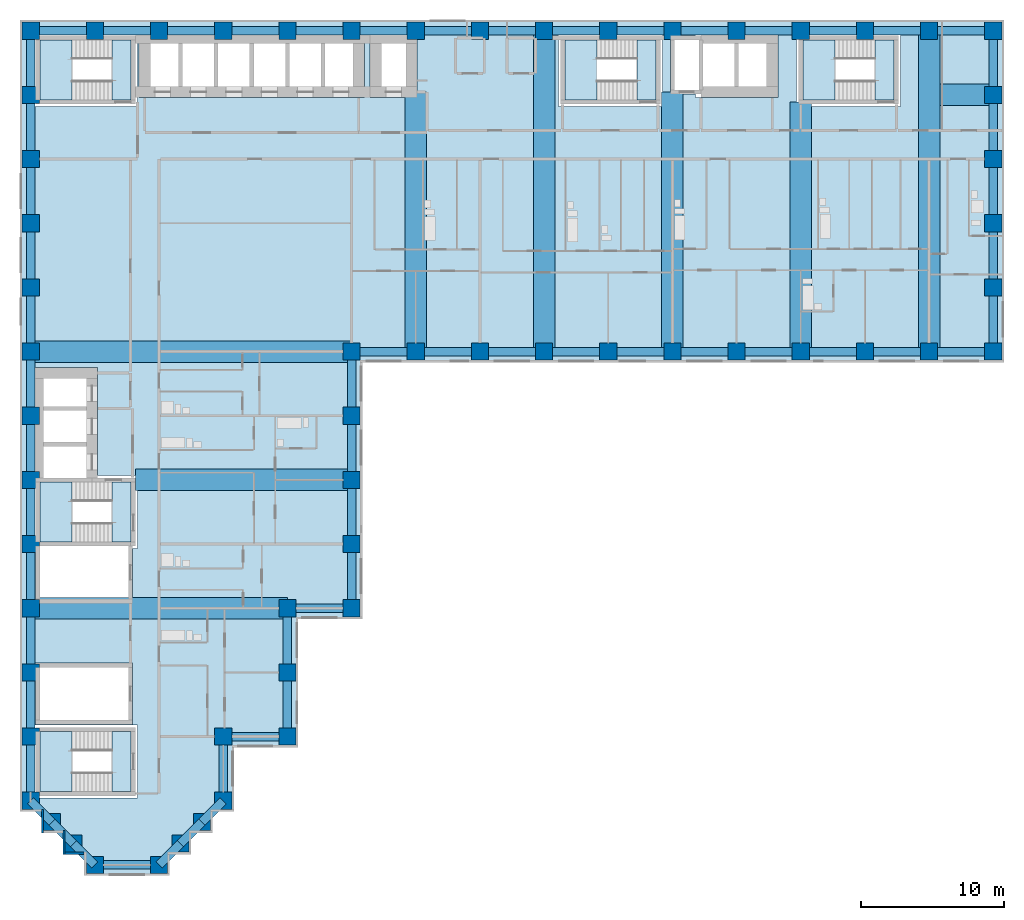
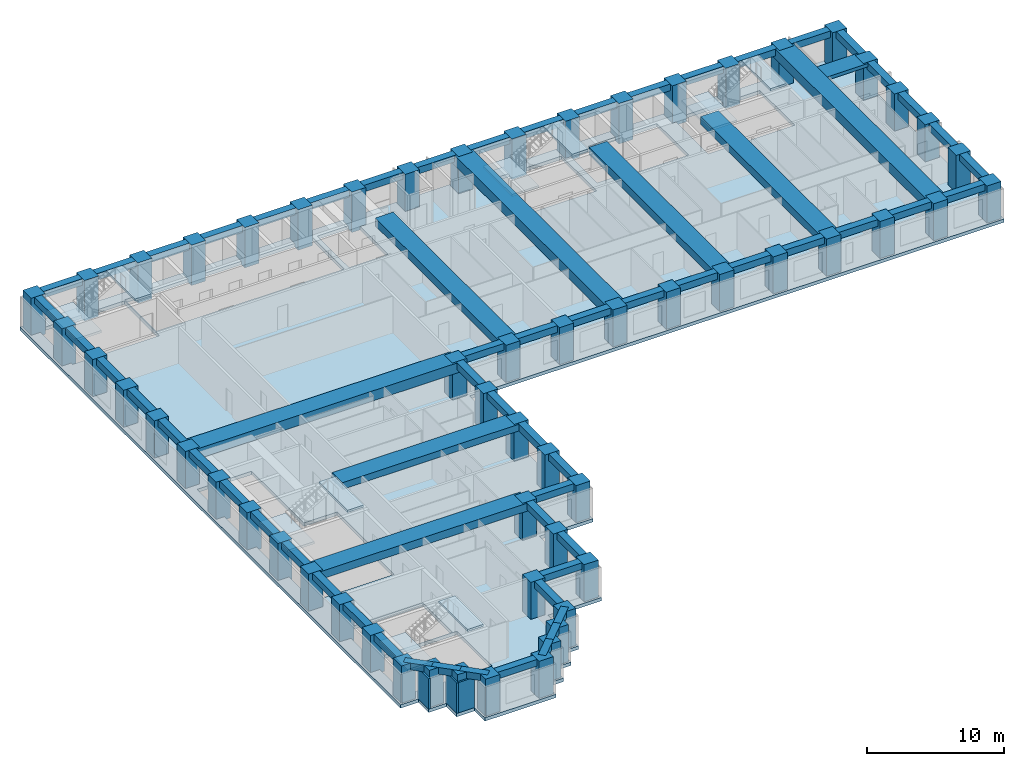
# One storey, part 1 of 11: 67 beams, 58 columns, 11 slabs, 3 walls, 5 elements without a shape of their own.
"""IFC4 building model written with IfcOpenShell, lengths in metres."""

from ifc_helpers import new_model, si_unit, direction, frame, frame_2d, origin, origin_2d, place, context, subcontext, project, spatial, polyline, rectangle, outline, extrude, material, layer, layer_set, material_profile, profile_set, type_object, element, aggregate, save


model = new_model("IFC4")

# Units and contexts
model_context = context("Model", 3, precision=1e-05, world=origin(), true_north=direction((0.0, 1.0)))
body_context = subcontext(model_context, "Body", "Model", "MODEL_VIEW")
ifc_project = project(units=[si_unit("LENGTHUNIT", "METRE"), si_unit("AREAUNIT", "SQUARE_METRE"), si_unit("VOLUMEUNIT", "CUBIC_METRE"), si_unit("PLANEANGLEUNIT", "RADIAN"), si_unit("MASSUNIT", "GRAM", prefix="KILO")], contexts=[model_context])

# Site, building, storey
site_placement = place(None, origin())
site = spatial("IfcSite", under=ifc_project, at=site_placement, CompositionType="ELEMENT")
building_placement = place(site_placement, origin())
building = spatial("IfcBuilding", under=site, at=building_placement, Name="Firuza Court", CompositionType="ELEMENT")
storey_placement = place(building_placement, frame((0.0, 0.0, 83.0)))
storey = spatial("IfcBuildingStorey", under=building, at=storey_placement, Name="L20", CompositionType="ELEMENT", Elevation=83.0)

# Columns
ifc_material_1 = material(Name="Concrete C70/85", Category="concrete")
ifc_material_profile_1 = material_profile(ifc_material_1, rectangle(XDim=1.199951171875, YDim=1.199951171875, at=origin_2d()), Name="RC 1200x1200")
ifc_profile_set_1 = profile_set([ifc_material_profile_1], Name="Concrete C70/85")
column_type = type_object("IfcColumnType", Name="Tube column RC 1200x1200 C70/85", PredefinedType="COLUMN", material=ifc_profile_set_1)
for number, where, z_axis, x_axis, name in (
    (1, (4.5, 0.0, -0.300048828125), (0.0, 0.0, 1.0), (1.0, 0.0, 0.0), "Column C-2D L20"),
    (2, (9.0, 0.0, -0.300048828125), (0.0, 0.0, 1.0), (1.0, 0.0, 0.0), "Column C-3D L20"),
    (3, (3.0, 1.5, -0.300048828125), (0.0, 0.0, 1.0), (1.0, 0.0, 0.0), "Column C-SA1 L20"),
    (4, (10.5, 1.5, -0.300048828125), (0.0, 0.0, 1.0), (1.0, 0.0, 0.0), "Column C-SA2 L20"),
    (5, (1.5, 3.0, -0.300048828125), (0.0, 0.0, 1.0), (1.0, 0.0, 0.0), "Column C-SA3 L20"),
    (6, (12.0, 3.0, -0.300048828125), (0.0, 0.0, 1.0), (1.0, 0.0, 0.0), "Column C-SA4 L20"),
    (7, (0.0, 4.5, -0.300048828125), (0.0, 0.0, 1.0), (1.0, 0.0, 0.0), "Column C-1E L20"),
    (8, (13.5, 4.5, -0.300048828125), (0.0, 0.0, 1.0), (1.0, 0.0, 0.0), "Column C-4E L20"),
    (9, (0.0, 9.0, -0.300048828125), (0.0, 0.0, 1.0), (1.0, 0.0, 0.0), "Column C-1F L20"),
    (10, (13.5, 9.0, -0.300048828125), (0.0, 0.0, 1.0), (1.0, 0.0, 0.0), "Column C-4F L20"),
    (11, (18.0, 9.0, -0.300048828125), (0.0, 0.0, 1.0), (1.0, 0.0, 0.0), "Column C-5F L20"),
    (12, (0.0, 13.5, -0.300048828125), (0.0, 0.0, 1.0), (1.0, 0.0, 0.0), "Column C-1G L20"),
    (13, (18.0, 13.5, -0.300048828125), (0.0, 0.0, 1.0), (1.0, 0.0, 0.0), "Column C-5G L20"),
    (14, (0.0, 18.0, -0.300048828125), (0.0, 0.0, 1.0), (1.0, 0.0, 0.0), "Column C-1H L20"),
    (15, (18.0, 18.0, -0.300048828125), (0.0, 0.0, 1.0), (1.0, 0.0, 0.0), "Column C-5H L20"),
    (16, (22.5, 18.0, -0.300048828125), (0.0, 0.0, 1.0), (1.0, 0.0, 0.0), "Column C-6H L20"),
    (17, (0.0, 22.5, -0.300048828125), (0.0, 0.0, 1.0), (1.0, 0.0, 0.0), "Column C-1J L20"),
    (18, (22.5, 22.5, -0.300048828125), (0.0, 0.0, 1.0), (1.0, 0.0, 0.0), "Column C-6J L20"),
    (19, (0.0, 27.0, -0.300048828125), (0.0, 0.0, 1.0), (1.0, 0.0, 0.0), "Column C-1K L20"),
    (20, (22.5, 27.0, -0.300048828125), (0.0, 0.0, 1.0), (1.0, 0.0, 0.0), "Column C-6K L20"),
    (21, (0.0, 31.5, -0.300048828125), (0.0, 0.0, 1.0), (1.0, 0.0, 0.0), "Column C-1L L20"),
    (22, (22.5, 31.5, -0.300048828125), (0.0, 0.0, 1.0), (1.0, 0.0, 0.0), "Column C-6L L20"),
    (23, (0.0, 36.0, -0.300048828125), (0.0, 0.0, 1.0), (1.0, 0.0, 0.0), "Column C-1M L20"),
    (24, (22.5, 36.0, -0.300048828125), (0.0, 0.0, 1.0), (1.0, 0.0, 0.0), "Column C-6M L20"),
    (25, (27.0, 36.0, -0.300048828125), (0.0, 0.0, 1.0), (1.0, 0.0, 0.0), "Column C-7M L20"),
    (26, (31.5, 36.0, -0.300048828125), (0.0, 0.0, 1.0), (1.0, 0.0, 0.0), "Column C-8M L20"),
    (27, (36.0, 36.0, -0.300048828125), (0.0, 0.0, 1.0), (1.0, 0.0, 0.0), "Column C-9M L20"),
    (28, (40.5, 36.0, -0.300048828125), (0.0, 0.0, 1.0), (1.0, 0.0, 0.0), "Column C-10M L20"),
    (29, (45.0, 36.0, -0.300048828125), (0.0, 0.0, 1.0), (1.0, 0.0, 0.0), "Column C-11M L20"),
    (30, (49.5, 36.0, -0.300048828125), (0.0, 0.0, 1.0), (1.0, 0.0, 0.0), "Column C-12M L20"),
    (31, (54.0, 36.0, -0.300048828125), (0.0, 0.0, 1.0), (1.0, 0.0, 0.0), "Column C-13M L20"),
    (32, (58.5, 36.0, -0.300048828125), (0.0, 0.0, 1.0), (1.0, 0.0, 0.0), "Column C-14M L20"),
    (33, (63.0, 36.0, -0.300048828125), (0.0, 0.0, 1.0), (1.0, 0.0, 0.0), "Column C-15M L20"),
    (34, (67.5, 36.0, -0.300048828125), (0.0, 0.0, 1.0), (1.0, 0.0, 0.0), "Column C-16M L20"),
    (35, (0.0, 40.5, -0.300048828125), (0.0, 0.0, 1.0), (1.0, 0.0, 0.0), "Column C-1N L20"),
    (36, (67.5, 40.5, -0.300048828125), (0.0, 0.0, 1.0), (1.0, 0.0, 0.0), "Column C-16N L20"),
    (37, (0.0, 45.0, -0.300048828125), (0.0, 0.0, 1.0), (1.0, 0.0, 0.0), "Column C-1P L20"),
    (38, (67.5, 45.0, -0.300048828125), (0.0, 0.0, 1.0), (1.0, 0.0, 0.0), "Column C-16P L20"),
    (39, (0.0, 49.5, -0.300048828125), (0.0, 0.0, 1.0), (1.0, 0.0, 0.0), "Column C-1Q L20"),
    (40, (67.5, 49.5, -0.300048828125), (0.0, 0.0, 1.0), (1.0, 0.0, 0.0), "Column C-16Q L20"),
    (41, (0.0, 54.0, -0.300048828125), (0.0, 0.0, 1.0), (1.0, 0.0, 0.0), "Column C-1R L20"),
    (42, (67.5, 54.0, -0.300048828125), (0.0, 0.0, 1.0), (1.0, 0.0, 0.0), "Column C-16R L20"),
    (43, (0.0, 58.5, -0.300048828125), (0.0, 0.0, 1.0), (1.0, 0.0, 0.0), "Column C-1S L20"),
    (44, (4.5, 58.5, -0.300048828125), (0.0, 0.0, 1.0), (1.0, 0.0, 0.0), "Column C-2S L20"),
    (45, (9.0, 58.5, -0.300048828125), (0.0, 0.0, 1.0), (1.0, 0.0, 0.0), "Column C-3S L20"),
    (46, (13.5, 58.5, -0.300048828125), (0.0, 0.0, 1.0), (1.0, 0.0, 0.0), "Column C-4S L20"),
    (47, (18.0, 58.5, -0.300048828125), (0.0, 0.0, 1.0), (1.0, 0.0, 0.0), "Column C-5S L20"),
    (48, (22.5, 58.5, -0.300048828125), (0.0, 0.0, 1.0), (1.0, 0.0, 0.0), "Column C-6S L20"),
    (49, (27.0, 58.5, -0.300048828125), (0.0, 0.0, 1.0), (1.0, 0.0, 0.0), "Column C-7S L20"),
    (50, (31.5, 58.5, -0.300048828125), (0.0, 0.0, 1.0), (1.0, 0.0, 0.0), "Column C-8S L20"),
    (51, (36.0, 58.5, -0.300048828125), (0.0, 0.0, 1.0), (1.0, 0.0, 0.0), "Column C-9S L20"),
    (52, (40.5, 58.5, -0.300048828125), (0.0, 0.0, 1.0), (1.0, 0.0, 0.0), "Column C-10S L20"),
    (53, (45.0, 58.5, -0.300048828125), (0.0, 0.0, 1.0), (1.0, 0.0, 0.0), "Column C-11S L20"),
    (54, (49.5, 58.5, -0.300048828125), (0.0, 0.0, 1.0), (1.0, 0.0, 0.0), "Column C-12S L20"),
    (55, (54.0, 58.5, -0.300048828125), (0.0, 0.0, 1.0), (1.0, 0.0, 0.0), "Column C-13S L20"),
    (56, (58.5, 58.5, -0.300048828125), (0.0, 0.0, 1.0), (1.0, 0.0, 0.0), "Column C-14S L20"),
    (57, (63.0, 58.5, -0.300048828125), (0.0, 0.0, 1.0), (1.0, 0.0, 0.0), "Column C-15S L20"),
    (58, (67.5, 58.5, -0.300048828125), (0.0, 0.0, 1.0), (1.0, 0.0, 0.0), "Column C-16S L20"),
):
    element("IfcColumn", number, at=place(storey_placement, frame(where, z_axis=z_axis, x_axis=x_axis)), inside=storey, type_object=column_type, Name=name, PredefinedType="COLUMN", context=body_context, shape_type="SweptSolid", body=[
        extrude(rectangle(XDim=1.199951171875, YDim=1.199951171875, at=origin_2d()), origin(), (0.0, 0.0, 1.0), 3.60009765625),
    ])

# Beams
ifc_material_2 = material(Name="Concrete C40/50", Category="concrete")
ifc_material_profile_2 = material_profile(ifc_material_2, rectangle(XDim=1.5, YDim=0.300048828125, at=origin_2d()), Name="RC 1500x300")
ifc_profile_set_2 = profile_set([ifc_material_profile_2], Name="Concrete C40/50")
beam_type_1 = type_object("IfcBeamType", Name="Band beam RC 1500x300 C40/50", PredefinedType="BEAM", material=ifc_profile_set_2)
beam_1_placement = place(storey_placement, frame((67.5, 54.0, 3.14990234375), z_axis=(-1.0, 0.0, 0.0), x_axis=(0.0, -1.0, 0.0)))
element("IfcBeam", 59, at=beam_1_placement, inside=storey, type_object=beam_type_1, Name="Band beam FB6 level L21", PredefinedType="BEAM", context=body_context, shape_type="SweptSolid", body=[
    extrude(rectangle(XDim=1.5, YDim=0.300048828125, at=origin_2d()), origin(), (0.0, 0.0, 1.0), 3.75),
])
ifc_material_3 = material(Name="Concrete C40/50", Category="concrete")
ifc_material_profile_3 = material_profile(ifc_material_3, rectangle(XDim=1.5, YDim=0.60009765625, at=origin_2d()), Name="RC 1500x600")
ifc_profile_set_3 = profile_set([ifc_material_profile_3], Name="Concrete C40/50")
beam_type_2 = type_object("IfcBeamType", Name="Band beam RC 1500x600 C40/50", PredefinedType="BEAM", material=ifc_profile_set_3)
beam_2_placement = place(storey_placement, frame((22.5, 27.0, 3.0), z_axis=(-1.0, 0.0, 0.0), x_axis=(0.0, -1.0, 0.0)))
element("IfcBeam", 60, at=beam_2_placement, inside=storey, type_object=beam_type_2, Name="Band beam FB3 level L21", PredefinedType="BEAM", context=body_context, shape_type="SweptSolid", body=[
    extrude(rectangle(XDim=1.5, YDim=0.60009765625, at=origin_2d()), origin(), (0.0, 0.0, 1.0), 15.14990234375),
])
ifc_material_4 = material(Name="Concrete C40/50", Category="concrete")
ifc_material_profile_4 = material_profile(ifc_material_4, rectangle(XDim=1.5, YDim=0.699951171875, at=origin_2d()), Name="RC 1500x700")
ifc_profile_set_4 = profile_set([ifc_material_profile_4], Name="Concrete C40/50")
beam_type_3 = type_object("IfcBeamType", Name="Band beam RC 1500x700 C40/50", PredefinedType="BEAM", material=ifc_profile_set_4)
beam_3_placement = place(storey_placement, frame((0.0, 18.0, 2.949951171875), z_axis=(1.0, 0.0, 0.0), x_axis=(0.0, 1.0, 0.0)))
element("IfcBeam", 61, at=beam_3_placement, inside=storey, type_object=beam_type_3, Name="Band beam FB1 level L21", PredefinedType="BEAM", context=body_context, shape_type="SweptSolid", body=[
    extrude(rectangle(XDim=1.5, YDim=0.699951171875, at=origin_2d()), origin(), (0.0, 0.0, 1.0), 18.0),
])
for number, where, z_axis, x_axis, name in (
    (62, (27.0, 36.0, 2.949951171875), (0.0, 1.0, 0.0), (-1.0, 0.0, 0.0), "Band beam FB1 level L21"),
    (63, (45.0, 36.0, 2.949951171875), (0.0, 1.0, 0.0), (-1.0, 0.0, 0.0), "Band beam FB1 level L21"),
):
    element("IfcBeam", number, at=place(storey_placement, frame(where, z_axis=z_axis, x_axis=x_axis)), inside=storey, type_object=beam_type_3, Name=name, PredefinedType="BEAM", context=body_context, shape_type="SweptSolid", body=[
        extrude(rectangle(XDim=1.5, YDim=0.699951171875, at=origin_2d()), origin(), (0.0, 0.0, 1.0), 18.199951171875),
    ])
beam_4_placement = place(storey_placement, frame((54.0, 36.0, 2.949951171875), z_axis=(0.0, 1.0, 0.0), x_axis=(-1.0, 0.0, 0.0)))
element("IfcBeam", 64, at=beam_4_placement, inside=storey, type_object=beam_type_3, Name="Band beam FB1 level L21", PredefinedType="BEAM", context=body_context, shape_type="SweptSolid", body=[
    extrude(rectangle(XDim=1.5, YDim=0.699951171875, at=origin_2d()), origin(), (0.0, 0.0, 1.0), 17.5),
])
ifc_material_5 = material(Name="Concrete C40/50", Category="concrete")
ifc_material_profile_5 = material_profile(ifc_material_5, rectangle(XDim=1.5, YDim=0.89990234375, at=origin_2d()), Name="RC 1500x900")
ifc_profile_set_5 = profile_set([ifc_material_profile_5], Name="Concrete C40/50")
beam_type_4 = type_object("IfcBeamType", Name="Band beam RC 1500x900 C40/50", PredefinedType="BEAM", material=ifc_profile_set_5)
for number, where, z_axis, x_axis, name in (
    (65, (0.0, 36.0, 2.85009765625), (1.0, 0.0, 0.0), (0.0, 1.0, 0.0), "Band beam FB2 level L21"),
    (66, (36.0, 36.0, 2.85009765625), (0.0, 1.0, 0.0), (-1.0, 0.0, 0.0), "Band beam FB2 level L21"),
    (67, (63.0, 36.0, 2.85009765625), (0.0, 1.0, 0.0), (-1.0, 0.0, 0.0), "Band beam FB2 level L21"),
):
    element("IfcBeam", number, at=place(storey_placement, frame(where, z_axis=z_axis, x_axis=x_axis)), inside=storey, type_object=beam_type_4, Name=name, PredefinedType="BEAM", context=body_context, shape_type="SweptSolid", body=[
        extrude(rectangle(XDim=1.5, YDim=0.89990234375, at=origin_2d()), origin(), (0.0, 0.0, 1.0), 22.5),
    ])
ifc_material_6 = material(Name="Concrete C40/50", Category="concrete")
ifc_material_profile_6 = material_profile(ifc_material_6, rectangle(XDim=0.60009765625, YDim=0.60009765625, at=origin_2d()), Name="RC 600x600")
ifc_profile_set_6 = profile_set([ifc_material_profile_6], Name="Concrete C40/50")
beam_type_5 = type_object("IfcBeamType", Name="Spandrel beam RC 600x600 C40/50", PredefinedType="BEAM", material=ifc_profile_set_6)
beam_5_placement = place(storey_placement, frame((0.0, 4.5, 3.0), z_axis=(0.707106781187, -0.707106781187, 0.0), x_axis=(0.707106781187, 0.707106781187, 0.0)))
element("IfcBeam", 68, at=beam_5_placement, inside=storey, type_object=beam_type_5, Name="Spandrel beam SP11 level L21", PredefinedType="BEAM", context=body_context, shape_type="SweptSolid", body=[
    extrude(rectangle(XDim=0.60009765625, YDim=0.60009765625, at=origin_2d()), origin(), (0.0, 0.0, 1.0), 2.121337890625),
])
for number, where, z_axis, x_axis, name in (
    (69, (0.0, 9.0, 3.0), (0.0, -1.0, 0.0), (1.0, 0.0, 0.0), "Spandrel beam SP11 level L21"),
    (70, (0.0, 13.5, 3.0), (0.0, -1.0, 0.0), (1.0, 0.0, 0.0), "Spandrel beam SP11 level L21"),
    (71, (0.0, 18.0, 3.0), (0.0, -1.0, 0.0), (1.0, 0.0, 0.0), "Spandrel beam SP11 level L21"),
    (72, (0.0, 22.5, 3.0), (0.0, -1.0, 0.0), (1.0, 0.0, 0.0), "Spandrel beam SP11 level L21"),
    (73, (0.0, 27.0, 3.0), (0.0, -1.0, 0.0), (1.0, 0.0, 0.0), "Spandrel beam SP11 level L21"),
    (74, (0.0, 31.5, 3.0), (0.0, -1.0, 0.0), (1.0, 0.0, 0.0), "Spandrel beam SP11 level L21"),
    (75, (0.0, 36.0, 3.0), (0.0, -1.0, 0.0), (1.0, 0.0, 0.0), "Spandrel beam SP11 level L21"),
    (76, (0.0, 40.5, 3.0), (0.0, -1.0, 0.0), (1.0, 0.0, 0.0), "Spandrel beam SP11 level L21"),
    (77, (0.0, 45.0, 3.0), (0.0, -1.0, 0.0), (1.0, 0.0, 0.0), "Spandrel beam SP11 level L21"),
    (78, (0.0, 49.5, 3.0), (0.0, -1.0, 0.0), (1.0, 0.0, 0.0), "Spandrel beam SP11 level L21"),
    (79, (0.0, 54.0, 3.0), (0.0, -1.0, 0.0), (1.0, 0.0, 0.0), "Spandrel beam SP11 level L21"),
    (80, (0.0, 58.5, 3.0), (0.0, -1.0, 0.0), (1.0, 0.0, 0.0), "Spandrel beam SP11 level L21"),
):
    element("IfcBeam", number, at=place(storey_placement, frame(where, z_axis=z_axis, x_axis=x_axis)), inside=storey, type_object=beam_type_5, Name=name, PredefinedType="BEAM", context=body_context, shape_type="SweptSolid", body=[
        extrude(rectangle(XDim=0.60009765625, YDim=0.60009765625, at=origin_2d()), origin(), (0.0, 0.0, 1.0), 4.5),
    ])
for number, where, z_axis, x_axis, name in (
    (81, (1.5, 3.0, 3.0), (0.707106781187, -0.707106781187, 0.0), (0.707106781187, 0.707106781187, 0.0), "Spandrel beam SP11 level L21"),
    (82, (3.0, 1.5, 3.0), (0.707106781187, -0.707106781187, 0.0), (0.707106781187, 0.707106781187, 0.0), "Spandrel beam SP11 level L21"),
):
    element("IfcBeam", number, at=place(storey_placement, frame(where, z_axis=z_axis, x_axis=x_axis)), inside=storey, type_object=beam_type_5, Name=name, PredefinedType="BEAM", context=body_context, shape_type="SweptSolid", body=[
        extrude(rectangle(XDim=0.60009765625, YDim=0.60009765625, at=origin_2d()), origin(), (0.0, 0.0, 1.0), 2.121337890625),
    ])
for number, where, z_axis, x_axis, name in (
    (83, (4.5, 0.0, 3.0), (1.0, 0.0, 0.0), (0.0, 1.0, 0.0), "Spandrel beam SP11 level L21"),
    (84, (4.5, 58.5, 3.0), (-1.0, 0.0, 0.0), (0.0, -1.0, 0.0), "Spandrel beam SP11 level L21"),
):
    element("IfcBeam", number, at=place(storey_placement, frame(where, z_axis=z_axis, x_axis=x_axis)), inside=storey, type_object=beam_type_5, Name=name, PredefinedType="BEAM", context=body_context, shape_type="SweptSolid", body=[
        extrude(rectangle(XDim=0.60009765625, YDim=0.60009765625, at=origin_2d()), origin(), (0.0, 0.0, 1.0), 4.5),
    ])
beam_6_placement = place(storey_placement, frame((9.0, 0.0, 3.0), z_axis=(0.707106781187, 0.707106781187, 0.0), x_axis=(-0.707106781187, 0.707106781187, 0.0)))
element("IfcBeam", 85, at=beam_6_placement, inside=storey, type_object=beam_type_5, Name="Spandrel beam SP11 level L21", PredefinedType="BEAM", context=body_context, shape_type="SweptSolid", body=[
    extrude(rectangle(XDim=0.60009765625, YDim=0.60009765625, at=origin_2d()), origin(), (0.0, 0.0, 1.0), 2.121337890625),
])
beam_7_placement = place(storey_placement, frame((9.0, 58.5, 3.0), z_axis=(-1.0, 0.0, 0.0), x_axis=(0.0, -1.0, 0.0)))
element("IfcBeam", 86, at=beam_7_placement, inside=storey, type_object=beam_type_5, Name="Spandrel beam SP11 level L21", PredefinedType="BEAM", context=body_context, shape_type="SweptSolid", body=[
    extrude(rectangle(XDim=0.60009765625, YDim=0.60009765625, at=origin_2d()), origin(), (0.0, 0.0, 1.0), 4.5),
])
for number, where, z_axis, x_axis, name in (
    (87, (10.5, 1.5, 3.0), (0.707106781187, 0.707106781187, 0.0), (-0.707106781187, 0.707106781187, 0.0), "Spandrel beam SP11 level L21"),
    (88, (12.0, 3.0, 3.0), (0.707106781187, 0.707106781187, 0.0), (-0.707106781187, 0.707106781187, 0.0), "Spandrel beam SP11 level L21"),
):
    element("IfcBeam", number, at=place(storey_placement, frame(where, z_axis=z_axis, x_axis=x_axis)), inside=storey, type_object=beam_type_5, Name=name, PredefinedType="BEAM", context=body_context, shape_type="SweptSolid", body=[
        extrude(rectangle(XDim=0.60009765625, YDim=0.60009765625, at=origin_2d()), origin(), (0.0, 0.0, 1.0), 2.121337890625),
    ])
for number, where, z_axis, x_axis, name in (
    (89, (13.5, 4.5, 3.0), (0.0, 1.0, 0.0), (-1.0, 0.0, 0.0), "Spandrel beam SP11 level L21"),
    (90, (13.5, 9.0, 3.0), (1.0, 0.0, 0.0), (0.0, 1.0, 0.0), "Spandrel beam SP11 level L21"),
    (91, (13.5, 58.5, 3.0), (-1.0, 0.0, 0.0), (0.0, -1.0, 0.0), "Spandrel beam SP11 level L21"),
    (92, (18.0, 9.0, 3.0), (0.0, 1.0, 0.0), (-1.0, 0.0, 0.0), "Spandrel beam SP11 level L21"),
    (93, (18.0, 13.5, 3.0), (0.0, 1.0, 0.0), (-1.0, 0.0, 0.0), "Spandrel beam SP11 level L21"),
    (94, (18.0, 18.0, 3.0), (1.0, 0.0, 0.0), (0.0, 1.0, 0.0), "Spandrel beam SP11 level L21"),
    (95, (18.0, 58.5, 3.0), (-1.0, 0.0, 0.0), (0.0, -1.0, 0.0), "Spandrel beam SP11 level L21"),
    (96, (22.5, 18.0, 3.0), (0.0, 1.0, 0.0), (-1.0, 0.0, 0.0), "Spandrel beam SP11 level L21"),
    (97, (22.5, 22.5, 3.0), (0.0, 1.0, 0.0), (-1.0, 0.0, 0.0), "Spandrel beam SP11 level L21"),
    (98, (22.5, 27.0, 3.0), (0.0, 1.0, 0.0), (-1.0, 0.0, 0.0), "Spandrel beam SP11 level L21"),
    (99, (22.5, 31.5, 3.0), (0.0, 1.0, 0.0), (-1.0, 0.0, 0.0), "Spandrel beam SP11 level L21"),
    (100, (22.5, 36.0, 3.0), (1.0, 0.0, 0.0), (0.0, 1.0, 0.0), "Spandrel beam SP11 level L21"),
    (101, (22.5, 58.5, 3.0), (-1.0, 0.0, 0.0), (0.0, -1.0, 0.0), "Spandrel beam SP11 level L21"),
    (102, (27.0, 36.0, 3.0), (1.0, 0.0, 0.0), (0.0, 1.0, 0.0), "Spandrel beam SP11 level L21"),
    (103, (27.0, 58.5, 3.0), (-1.0, 0.0, 0.0), (0.0, -1.0, 0.0), "Spandrel beam SP11 level L21"),
    (104, (31.5, 36.0, 3.0), (1.0, 0.0, 0.0), (0.0, 1.0, 0.0), "Spandrel beam SP11 level L21"),
    (105, (31.5, 58.5, 3.0), (-1.0, 0.0, 0.0), (0.0, -1.0, 0.0), "Spandrel beam SP11 level L21"),
    (106, (36.0, 36.0, 3.0), (1.0, 0.0, 0.0), (0.0, 1.0, 0.0), "Spandrel beam SP11 level L21"),
    (107, (36.0, 58.5, 3.0), (-1.0, 0.0, 0.0), (0.0, -1.0, 0.0), "Spandrel beam SP11 level L21"),
    (108, (40.5, 36.0, 3.0), (1.0, 0.0, 0.0), (0.0, 1.0, 0.0), "Spandrel beam SP11 level L21"),
    (109, (40.5, 58.5, 3.0), (-1.0, 0.0, 0.0), (0.0, -1.0, 0.0), "Spandrel beam SP11 level L21"),
    (110, (45.0, 36.0, 3.0), (1.0, 0.0, 0.0), (0.0, 1.0, 0.0), "Spandrel beam SP11 level L21"),
    (111, (45.0, 58.5, 3.0), (-1.0, 0.0, 0.0), (0.0, -1.0, 0.0), "Spandrel beam SP11 level L21"),
    (112, (49.5, 36.0, 3.0), (1.0, 0.0, 0.0), (0.0, 1.0, 0.0), "Spandrel beam SP11 level L21"),
    (113, (49.5, 58.5, 3.0), (-1.0, 0.0, 0.0), (0.0, -1.0, 0.0), "Spandrel beam SP11 level L21"),
    (114, (54.0, 36.0, 3.0), (1.0, 0.0, 0.0), (0.0, 1.0, 0.0), "Spandrel beam SP11 level L21"),
    (115, (54.0, 58.5, 3.0), (-1.0, 0.0, 0.0), (0.0, -1.0, 0.0), "Spandrel beam SP11 level L21"),
    (116, (58.5, 36.0, 3.0), (1.0, 0.0, 0.0), (0.0, 1.0, 0.0), "Spandrel beam SP11 level L21"),
    (117, (58.5, 58.5, 3.0), (-1.0, 0.0, 0.0), (0.0, -1.0, 0.0), "Spandrel beam SP11 level L21"),
    (118, (63.0, 36.0, 3.0), (1.0, 0.0, 0.0), (0.0, 1.0, 0.0), "Spandrel beam SP11 level L21"),
    (119, (63.0, 58.5, 3.0), (-1.0, 0.0, 0.0), (0.0, -1.0, 0.0), "Spandrel beam SP11 level L21"),
    (120, (67.5, 36.0, 3.0), (0.0, 1.0, 0.0), (-1.0, 0.0, 0.0), "Spandrel beam SP11 level L21"),
    (121, (67.5, 40.5, 3.0), (0.0, 1.0, 0.0), (-1.0, 0.0, 0.0), "Spandrel beam SP11 level L21"),
    (122, (67.5, 45.0, 3.0), (0.0, 1.0, 0.0), (-1.0, 0.0, 0.0), "Spandrel beam SP11 level L21"),
    (123, (67.5, 49.5, 3.0), (0.0, 1.0, 0.0), (-1.0, 0.0, 0.0), "Spandrel beam SP11 level L21"),
    (124, (67.5, 54.0, 3.0), (0.0, 1.0, 0.0), (-1.0, 0.0, 0.0), "Spandrel beam SP11 level L21"),
    (125, (67.5, 58.5, 3.0), (-1.0, 0.0, 0.0), (0.0, -1.0, 0.0), "Spandrel beam SP11 level L21"),
):
    element("IfcBeam", number, at=place(storey_placement, frame(where, z_axis=z_axis, x_axis=x_axis)), inside=storey, type_object=beam_type_5, Name=name, PredefinedType="BEAM", context=body_context, shape_type="SweptSolid", body=[
        extrude(rectangle(XDim=0.60009765625, YDim=0.60009765625, at=origin_2d()), origin(), (0.0, 0.0, 1.0), 4.5),
    ])

# Slab
ifc_material_7 = material(Name="Concrete C40/50", Category="concrete")
ifc_layer_1 = layer(ifc_material_7, 0.300048828125)
ifc_layer_set_1 = layer_set([ifc_layer_1], Name="Concrete C40/50")
slab_type_1 = type_object("IfcSlabType", Name="Floor slab 300 C40/50", PredefinedType="FLOOR", material=ifc_layer_set_1)
slab_1_placement = place(storey_placement, frame((0.0, 0.0, -0.300048828125)))
element("IfcSlab", 126, at=slab_1_placement, inside=storey, type_object=slab_type_1, Name="Floor slab L20", PredefinedType="FLOOR", context=body_context, shape_type="SweptSolid", body=[
    extrude(outline(polyline([(3.75, -0.75), (3.75, 0.75), (2.25, 0.75), (2.25, 2.25), (0.75, 2.25), (0.75, 3.75), (-0.75, 3.75), (-0.75, 59.25), (68.25, 59.25), (68.25, 35.25), (23.25, 35.25), (23.25, 17.25), (18.75, 17.25), (18.75, 8.25), (14.25, 8.25), (14.25, 3.75), (12.75, 3.75), (12.75, 2.25), (11.25, 2.25), (11.25, 0.75), (9.75, 0.75), (9.75, -0.75), (3.75, -0.75)]), holes=[polyline([(7.5, 9.800048828125), (0.199951171875, 9.800048828125), (0.199951171875, 4.699951171875), (7.5, 4.699951171875), (7.5, 9.800048828125)]), polyline([(7.14990234375, 14.14990234375), (0.35009765625, 14.14990234375), (0.35009765625, 9.85009765625), (7.14990234375, 9.85009765625), (7.14990234375, 14.14990234375)]), polyline([(0.199951171875, 22.199951171875), (0.35009765625, 22.199951171875), (0.35009765625, 18.35009765625), (7.14990234375, 18.35009765625), (7.14990234375, 22.199951171875), (7.5, 22.199951171875), (7.5, 27.300048828125), (4.699951171875, 27.300048828125), (4.699951171875, 29.10009765625), (4.699951171875, 29.89990234375), (4.699951171875, 31.60009765625), (4.699951171875, 32.39990234375), (4.699951171875, 34.89990234375), (0.10009765625, 34.89990234375), (0.10009765625, 32.39990234375), (0.10009765625, 31.60009765625), (0.10009765625, 29.89990234375), (0.10009765625, 29.10009765625), (0.10009765625, 26.60009765625), (0.199951171875, 26.60009765625), (0.199951171875, 22.199951171875)]), polyline([(7.5, 58.300048828125), (0.199951171875, 58.300048828125), (0.199951171875, 53.199951171875), (7.5, 53.199951171875), (7.5, 58.300048828125)]), polyline([(10.10009765625, 58.39990234375), (7.60009765625, 58.39990234375), (7.60009765625, 53.800048828125), (10.10009765625, 53.800048828125), (10.89990234375, 53.800048828125), (12.60009765625, 53.800048828125), (13.39990234375, 53.800048828125), (15.10009765625, 53.800048828125), (15.89990234375, 53.800048828125), (17.60009765625, 53.800048828125), (18.39990234375, 53.800048828125), (20.10009765625, 53.800048828125), (20.89990234375, 53.800048828125), (23.39990234375, 53.800048828125), (23.39990234375, 58.39990234375), (20.89990234375, 58.39990234375), (20.10009765625, 58.39990234375), (18.39990234375, 58.39990234375), (17.60009765625, 58.39990234375), (15.89990234375, 58.39990234375), (15.10009765625, 58.39990234375), (13.39990234375, 58.39990234375), (12.60009765625, 58.39990234375), (10.89990234375, 58.39990234375), (10.10009765625, 58.39990234375)]), polyline([(44.300048828125, 58.300048828125), (37.0, 58.300048828125), (37.0, 53.199951171875), (44.300048828125, 53.199951171875), (44.300048828125, 58.300048828125)]), polyline([(61.0, 58.300048828125), (53.699951171875, 58.300048828125), (53.699951171875, 53.199951171875), (61.0, 53.199951171875), (61.0, 58.300048828125)]), polyline([(27.10009765625, 58.39990234375), (23.800048828125, 58.39990234375), (23.800048828125, 53.800048828125), (27.10009765625, 53.800048828125), (27.10009765625, 58.39990234375)]), polyline([(46.60009765625, 58.14990234375), (44.85009765625, 58.14990234375), (44.85009765625, 54.050048828125), (46.60009765625, 54.050048828125), (46.60009765625, 53.800048828125), (49.10009765625, 53.800048828125), (49.89990234375, 53.800048828125), (52.39990234375, 53.800048828125), (52.39990234375, 58.39990234375), (49.89990234375, 58.39990234375), (49.10009765625, 58.39990234375), (46.60009765625, 58.39990234375), (46.60009765625, 58.14990234375)])]), origin(), (0.0, 0.0, 1.0), 0.300048828125),
])

# Stair, slabs
ifc_material_8 = material(Name="Concrete C40/50 precast", Category="concrete")
stair_type = type_object("IfcStairType", Name="Stair 1350 x 3600 2 flights", PredefinedType="HALF_TURN_STAIR", material=ifc_material_8)
stair_1_placement = place(storey_placement, origin())
stair_1 = element("IfcStair", 127, at=stair_1_placement, inside=storey, type_object=stair_type, Name="Stair 1 L20", PredefinedType="HALF_TURN_STAIR")
ifc_material_9 = material(Name="Concrete C40/50 precast", Category="concrete")
ifc_layer_2 = layer(ifc_material_9, 0.199951171875)
ifc_layer_set_2 = layer_set([ifc_layer_2], Name="Concrete C40/50 precast")
slab_type_2 = type_object("IfcSlabType", Name="Stair landing 200", PredefinedType="LANDING", material=ifc_layer_set_2)
slab_2_placement = place(storey_placement, frame((0.0, 0.0, 1.60009765625)))
slab_2 = element("IfcSlab", 128, at=slab_2_placement, type_object=slab_type_2, Name="S1 landing 1", PredefinedType="LANDING", context=body_context, shape_type="SweptSolid", body=[
    extrude(outline(polyline([(39.699951171875, 53.64990234375), (39.699951171875, 57.85009765625), (37.449951171875, 57.85009765625), (37.449951171875, 53.64990234375), (39.699951171875, 53.64990234375)])), origin(), (0.0, 0.0, 1.0), 0.199951171875),
])
slab_3_placement = place(storey_placement, frame((0.0, 0.0, 3.39990234375)))
slab_3 = element("IfcSlab", 129, at=slab_3_placement, type_object=slab_type_2, Name="S1 landing 2", PredefinedType="LANDING", context=body_context, shape_type="SweptSolid", body=[
    extrude(outline(polyline([(43.85009765625, 53.64990234375), (43.85009765625, 57.85009765625), (42.5, 57.85009765625), (42.5, 53.64990234375), (43.85009765625, 53.64990234375)])), origin(), (0.0, 0.0, 1.0), 0.2001953125),
])
aggregate(stair_1, [slab_2, slab_3])

stair_2_placement = place(storey_placement, origin())
stair_2 = element("IfcStair", 130, at=stair_2_placement, inside=storey, type_object=stair_type, Name="Stair 2 L20", PredefinedType="HALF_TURN_STAIR")
slab_4_placement = place(storey_placement, frame((0.0, 0.0, 1.60009765625)))
slab_4 = element("IfcSlab", 131, at=slab_4_placement, type_object=slab_type_2, Name="S2 landing 1", PredefinedType="LANDING", context=body_context, shape_type="SweptSolid", body=[
    extrude(outline(polyline([(2.89990234375, 22.64990234375), (2.89990234375, 26.85009765625), (0.64990234375, 26.85009765625), (0.64990234375, 22.64990234375), (2.89990234375, 22.64990234375)])), origin(), (0.0, 0.0, 1.0), 0.199951171875),
])
slab_5_placement = place(storey_placement, frame((0.0, 0.0, 3.39990234375)))
slab_5 = element("IfcSlab", 132, at=slab_5_placement, type_object=slab_type_2, Name="S2 landing 2", PredefinedType="LANDING", context=body_context, shape_type="SweptSolid", body=[
    extrude(outline(polyline([(7.050048828125, 22.64990234375), (7.050048828125, 26.85009765625), (5.699951171875, 26.85009765625), (5.699951171875, 22.64990234375), (7.050048828125, 22.64990234375)])), origin(), (0.0, 0.0, 1.0), 0.2001953125),
])
aggregate(stair_2, [slab_4, slab_5])

stair_3_placement = place(storey_placement, origin())
stair_3 = element("IfcStair", 133, at=stair_3_placement, inside=storey, type_object=stair_type, Name="Stair 3 L20", PredefinedType="HALF_TURN_STAIR")
slab_6_placement = place(storey_placement, frame((0.0, 0.0, 1.60009765625)))
slab_6 = element("IfcSlab", 134, at=slab_6_placement, type_object=slab_type_2, Name="S3 landing 1", PredefinedType="LANDING", context=body_context, shape_type="SweptSolid", body=[
    extrude(outline(polyline([(2.89990234375, 53.64990234375), (2.89990234375, 57.85009765625), (0.64990234375, 57.85009765625), (0.64990234375, 53.64990234375), (2.89990234375, 53.64990234375)])), origin(), (0.0, 0.0, 1.0), 0.199951171875),
])
slab_7_placement = place(storey_placement, frame((0.0, 0.0, 3.39990234375)))
slab_7 = element("IfcSlab", 135, at=slab_7_placement, type_object=slab_type_2, Name="S3 landing 2", PredefinedType="LANDING", context=body_context, shape_type="SweptSolid", body=[
    extrude(outline(polyline([(7.050048828125, 53.64990234375), (7.050048828125, 57.85009765625), (5.699951171875, 57.85009765625), (5.699951171875, 53.64990234375), (7.050048828125, 53.64990234375)])), origin(), (0.0, 0.0, 1.0), 0.2001953125),
])
aggregate(stair_3, [slab_6, slab_7])

stair_4_placement = place(storey_placement, origin())
stair_4 = element("IfcStair", 136, at=stair_4_placement, inside=storey, type_object=stair_type, Name="Stair 4 L20", PredefinedType="HALF_TURN_STAIR")
slab_8_placement = place(storey_placement, frame((0.0, 0.0, 1.60009765625)))
slab_8 = element("IfcSlab", 137, at=slab_8_placement, type_object=slab_type_2, Name="S4 landing 1", PredefinedType="LANDING", context=body_context, shape_type="SweptSolid", body=[
    extrude(outline(polyline([(56.39990234375, 53.64990234375), (56.39990234375, 57.85009765625), (54.14990234375, 57.85009765625), (54.14990234375, 53.64990234375), (56.39990234375, 53.64990234375)])), origin(), (0.0, 0.0, 1.0), 0.199951171875),
])
slab_9_placement = place(storey_placement, frame((0.0, 0.0, 3.39990234375)))
slab_9 = element("IfcSlab", 138, at=slab_9_placement, type_object=slab_type_2, Name="S4 landing 2", PredefinedType="LANDING", context=body_context, shape_type="SweptSolid", body=[
    extrude(outline(polyline([(60.550048828125, 53.64990234375), (60.550048828125, 57.85009765625), (59.199951171875, 57.85009765625), (59.199951171875, 53.64990234375), (60.550048828125, 53.64990234375)])), origin(), (0.0, 0.0, 1.0), 0.2001953125),
])
aggregate(stair_4, [slab_8, slab_9])

stair_5_placement = place(storey_placement, origin())
stair_5 = element("IfcStair", 139, at=stair_5_placement, inside=storey, type_object=stair_type, Name="Stair 5 L20", PredefinedType="HALF_TURN_STAIR")
slab_10_placement = place(storey_placement, frame((0.0, 0.0, 1.60009765625)))
slab_10 = element("IfcSlab", 140, at=slab_10_placement, type_object=slab_type_2, Name="S5 landing 1", PredefinedType="LANDING", context=body_context, shape_type="SweptSolid", body=[
    extrude(outline(polyline([(2.89990234375, 5.14990234375), (2.89990234375, 9.35009765625), (0.64990234375, 9.35009765625), (0.64990234375, 5.14990234375), (2.89990234375, 5.14990234375)])), origin(), (0.0, 0.0, 1.0), 0.199951171875),
])
slab_11_placement = place(storey_placement, frame((0.0, 0.0, 3.39990234375)))
slab_11 = element("IfcSlab", 141, at=slab_11_placement, type_object=slab_type_2, Name="S5 landing 2", PredefinedType="LANDING", context=body_context, shape_type="SweptSolid", body=[
    extrude(outline(polyline([(7.050048828125, 5.14990234375), (7.050048828125, 9.35009765625), (5.699951171875, 9.35009765625), (5.699951171875, 5.14990234375), (7.050048828125, 5.14990234375)])), origin(), (0.0, 0.0, 1.0), 0.2001953125),
])
aggregate(stair_5, [slab_10, slab_11])

# Walls
ifc_material_10 = material(Name="Ceramic tile", Category="ceramic")
ifc_layer_3 = layer(ifc_material_10, 0.02001953125)
ifc_material_11 = material(Name="Mineral wool insulation", Category="insulation")
ifc_layer_4 = layer(ifc_material_11, 0.050048828125)
ifc_layer_5 = layer(ifc_material_9, 0.080078125)
ifc_layer_set_3 = layer_set([ifc_layer_3, ifc_layer_4, ifc_layer_5], Name="Concrete C40/50 precast")
wall_type = type_object("IfcWallType", Name="Precast cladding wall with turquoise TILE PANEL face 150", PredefinedType="STANDARD", material=ifc_layer_set_3)
for number, where, z_axis, x_axis, name in (
    (142, (0.824951171875, 3.89990234375, 0.0), (0.0, 0.0, 1.0), (0.0, -1.0, 0.0), "Facade wall L20 W"),
    (143, (2.324951171875, 2.39990234375, 0.0), (0.0, 0.0, 1.0), (0.0, -1.0, 0.0), "Facade wall L20 W"),
):
    element("IfcWall", number, at=place(storey_placement, frame(where, z_axis=z_axis, x_axis=x_axis)), inside=storey, type_object=wall_type, Name=name, PredefinedType="STANDARD", context=body_context, shape_type="SweptSolid", body=[
        extrude(rectangle(XDim=1.64990234375, YDim=0.14990234375, at=frame_2d((0.824951171875, 0.0))), origin(), (0.0, 0.0, 1.0), 2.699951171875),
    ])
wall_placement = place(storey_placement, frame((2.39990234375, 0.824951171875, 0.0), z_axis=(0.0, 0.0, 1.0), x_axis=(1.0, 0.0, 0.0)))
element("IfcWall", 144, at=wall_placement, inside=storey, type_object=wall_type, Name="Facade wall L20 S", PredefinedType="STANDARD", context=body_context, shape_type="SweptSolid", body=[
    extrude(rectangle(XDim=1.35009765625, YDim=0.14990234375, at=frame_2d((0.675048828125, 0.0))), origin(), (0.0, 0.0, 1.0), 2.699951171875),
])

save(model, "model.ifc")
